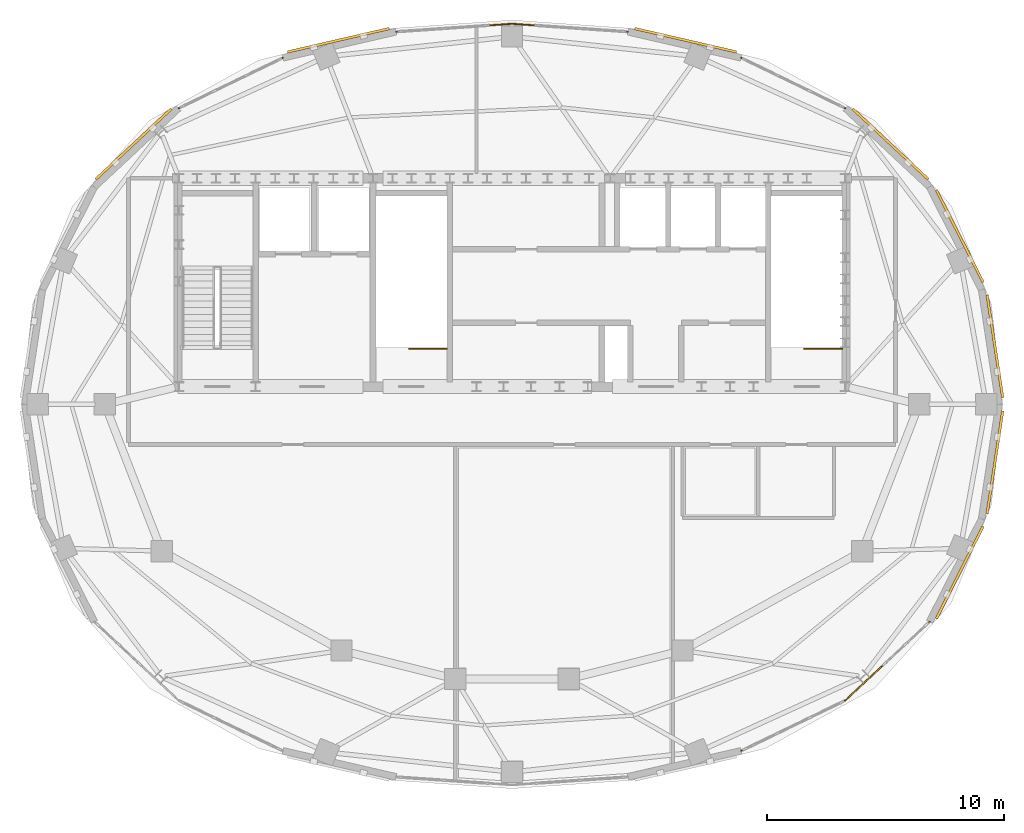
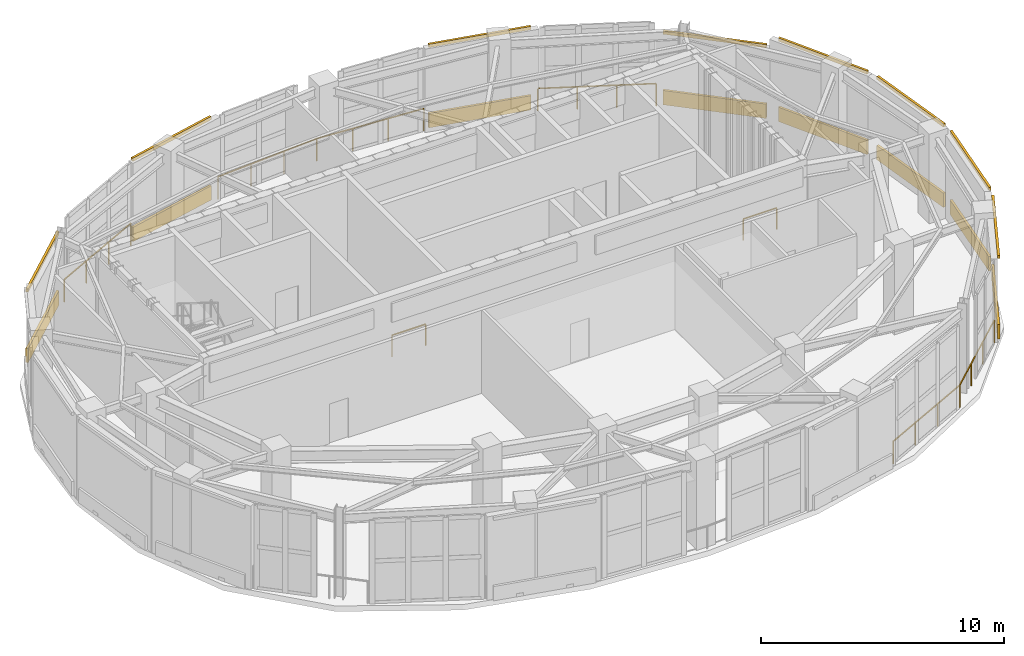
# One storey, part 10 of 10: 16 coverings, 8 railings.
"""IFC4 building model written with IfcOpenShell, lengths in metres."""

import ifcopenshell
import ifcopenshell.guid

model = None  # the IFC model being written
_history = None  # IfcOwnerHistory: only IFC2X3 demands one
_inside = {}  # id of a spatial element -> (the spatial element, [elements in it])
_under = {}  # id of a project, library or spatial element -> (it, [spatial elements below it])
_declared = {}  # id of a project -> (the project, [libraries it declares])
_typed = {}  # id of a type object -> (the type object, [elements of that type])
_made_of = {}  # id of a material, layer set ... -> (it, [elements and type objects made of it])


def new_model(schema):
    """Start an empty IFC model of exactly this schema.

    Asked for "IFC4X3", IfcOpenShell would pick the latest addendum, in which some entities
    have other attributes; the version numbers below select the first issue.
    IFC2X3 requires an IfcOwnerHistory on every rooted entity: one is made here for all.
    """
    global model, _history
    if schema == "IFC4X3":
        model = ifcopenshell.file(schema_version=(4, 3, 0, 0))
    else:
        model = ifcopenshell.file(schema=schema)
    _inside.clear()
    _under.clear()
    _declared.clear()
    _typed.clear()
    _made_of.clear()
    _history = None
    if model.schema == "IFC2X3":
        org = make("IfcOrganization", Name="unknown")
        user = make(
            "IfcPersonAndOrganization",
            ThePerson=make("IfcPerson", FamilyName="unknown"),
            TheOrganization=org,
        )
        app = make(
            "IfcApplication",
            ApplicationDeveloper=org,
            Version="unknown",
            ApplicationFullName="unknown",
            ApplicationIdentifier="unknown",
        )
        _history = make(
            "IfcOwnerHistory",
            OwningUser=user,
            OwningApplication=app,
            ChangeAction="ADDED",
            CreationDate=0,
        )
    return model


def make(cls, **values):
    """One entity of the class cls with the attributes given. An attribute that is None is left unset."""
    return model.create_entity(
        cls, **{name: value for name, value in values.items() if value is not None}
    )


def rooted(cls, **values):
    """An entity with a GlobalId (a new one), such as an element, a storey or a relation."""
    return make(cls, GlobalId=ifcopenshell.guid.new(), OwnerHistory=_history, **values)


def si_unit(unit_type, name, prefix=None):
    """IfcSIUnit, for example si_unit("LENGTHUNIT", "METRE", prefix="MILLI")."""
    return make("IfcSIUnit", UnitType=unit_type, Prefix=prefix, Name=name)


def assignment(units):
    """IfcUnitAssignment: the units of a project."""
    return None if units is None else make("IfcUnitAssignment", Units=units)


def point(xyz):
    """IfcCartesianPoint."""
    return None if xyz is None else make("IfcCartesianPoint", Coordinates=xyz)


def direction(xyz):
    """IfcDirection."""
    return None if xyz is None else make("IfcDirection", DirectionRatios=xyz)


def frame(location, z_axis=None, x_axis=None):
    """IfcAxis2Placement3D, a coordinate frame: its origin and axes. An axis left out is left unset."""
    return make(
        "IfcAxis2Placement3D",
        Location=point(location),
        Axis=direction(z_axis),
        RefDirection=direction(x_axis),
    )


def frame_2d(location, x_axis=None):
    """IfcAxis2Placement2D, a coordinate frame in the plane: its origin and x axis."""
    return make(
        "IfcAxis2Placement2D", Location=point(location), RefDirection=direction(x_axis)
    )


def origin():
    """The frame at (0, 0, 0) with its axes left unset."""
    return frame((0.0, 0.0, 0.0))


def origin_2d():
    """The frame at (0, 0) in the plane with its x axis left unset."""
    return frame_2d((0.0, 0.0))


def place(relative_to, where):
    """IfcLocalPlacement: puts the frame where relative to a parent placement (None: the world)."""
    return make(
        "IfcLocalPlacement", PlacementRelTo=relative_to, RelativePlacement=where
    )


def context(
    kind, dimensions, precision=None, world=None, true_north=None, identifier=None
):
    """IfcGeometricRepresentationContext, for example the 3D "Model" context."""
    return make(
        "IfcGeometricRepresentationContext",
        ContextIdentifier=identifier,
        ContextType=kind,
        CoordinateSpaceDimension=dimensions,
        Precision=precision,
        WorldCoordinateSystem=world,
        TrueNorth=true_north,
    )


def subcontext(parent, identifier, kind, view, scale=None):
    """IfcGeometricRepresentationSubContext, for example "Body" below "Model"."""
    return make(
        "IfcGeometricRepresentationSubContext",
        ContextIdentifier=identifier,
        ContextType=kind,
        ParentContext=parent,
        TargetScale=scale,
        TargetView=view,
    )


def project(units=None, contexts=None):
    """IfcProject with its units and contexts."""
    return rooted(
        "IfcProject",
        Name="project",
        RepresentationContexts=contexts,
        UnitsInContext=assignment(units),
    )


def spatial(cls, under=None, at=None, **own):
    """A site, building, storey or space (cls), placed at a placement, below another one or the project."""
    s = rooted(cls, ObjectPlacement=at, **own)
    if under is not None:
        _under.setdefault(under.id(), (under, []))[1].append(s)
    return s


def polyline(points):
    """IfcPolyline through the points."""
    return make("IfcPolyline", Points=[point(p) for p in points])


def profile(cls, at=None, kind="AREA", **sizes):
    """A parametric profile (cls). Its sizes go by their IFC names, for example OverallWidth=200.0."""
    return make(cls, ProfileType=kind, Position=at, **sizes)


def rectangle(**sizes):
    """IfcRectangleProfileDef."""
    return profile("IfcRectangleProfileDef", **sizes)


def outline(outer, holes=None, kind="AREA"):
    """IfcArbitraryClosedProfileDef: a profile drawn as a closed curve; with holes, ...WithVoids."""
    if holes is None:
        return make("IfcArbitraryClosedProfileDef", ProfileType=kind, OuterCurve=outer)
    return make(
        "IfcArbitraryProfileDefWithVoids",
        ProfileType=kind,
        OuterCurve=outer,
        InnerCurves=holes,
    )


def extrude(swept, where, along, depth):
    """IfcExtrudedAreaSolid: the profile swept, set in the frame where, extruded along a direction by depth."""
    return make(
        "IfcExtrudedAreaSolid",
        SweptArea=swept,
        Position=where,
        ExtrudedDirection=direction(along),
        Depth=depth,
    )


def shape(context_of_items, identifier, shape_type, items):
    """IfcShapeRepresentation: the items that make up one representation, for example the "Body"."""
    return make(
        "IfcShapeRepresentation",
        ContextOfItems=context_of_items,
        RepresentationIdentifier=identifier,
        RepresentationType=shape_type,
        Items=items,
    )


def material(Name=None, Category=None):
    """IfcMaterial."""
    return make("IfcMaterial", Name=Name, Category=Category)


def layer(
    of_material, thickness, ventilated=None, Name=None, Category=None, Priority=None
):
    """IfcMaterialLayer: one layer of a wall or slab, of a material (None: an air gap)."""
    return make(
        "IfcMaterialLayer",
        Material=of_material,
        LayerThickness=thickness,
        IsVentilated=ventilated,
        Name=Name,
        Category=Category,
        Priority=Priority,
    )


def layer_set(layers, Name=None):
    """IfcMaterialLayerSet."""
    return make("IfcMaterialLayerSet", MaterialLayers=layers, LayerSetName=Name)


def made_of(thing, what):
    """Note that an element or type object is made of a material, layer set ...; save() writes the relation."""
    if what is not None:
        _made_of.setdefault(what.id(), (what, []))[1].append(thing)
    return thing


def type_object(cls, material=None, **own):
    """A type object (cls), such as IfcWallType, which elements share."""
    return made_of(rooted(cls, **own), material)


def element(
    cls,
    number,
    at=None,
    inside=None,
    cuts=None,
    type_object=None,
    material=None,
    context=None,
    identifier="Body",
    shape_type=None,
    held_by="IfcProductDefinitionShape",
    body=None,
    shapes=None,
    **own,
):
    """One element of the class cls, such as IfcWall. Its Tag is "e" and its number.

    at: its placement. inside: the storey or other place that contains it. cuts: it is an
    opening in that element (IfcRelVoidsElement). A single representation is given by context,
    identifier, shape_type and body (its items); several are given by shapes. held_by: the class
    of the entity that holds the representations. save() writes the other relations.
    """
    e = rooted(cls, Tag="e%d" % number, ObjectPlacement=at, **own)
    if body is not None:
        shapes = [shape(context, identifier, shape_type, body)]
    if shapes is not None:
        e.Representation = make(held_by, Representations=shapes)
    if inside is not None:
        _inside.setdefault(inside.id(), (inside, []))[1].append(e)
    if cuts is not None:
        rooted(
            "IfcRelVoidsElement", RelatingBuildingElement=cuts, RelatedOpeningElement=e
        )
    if type_object is not None:
        _typed.setdefault(type_object.id(), (type_object, []))[1].append(e)
    return made_of(e, material)


def aggregate(whole, parts):
    """IfcRelAggregates: a whole, such as a stair, and the parts it consists of."""
    return rooted("IfcRelAggregates", RelatingObject=whole, RelatedObjects=parts)


def save(model, path):
    """Write the relations noted so far, then the file.

    IfcRelAggregates (storeys below a building ...), IfcRelContainedInSpatialStructure (elements
    in a storey), IfcRelDefinesByType, IfcRelAssociatesMaterial and IfcRelDeclares: one each for
    every whole, place, type object, material and project.
    """
    for whole, parts in _under.values():
        aggregate(whole, parts)
    for where, things in _inside.values():
        rooted(
            "IfcRelContainedInSpatialStructure",
            RelatedElements=things,
            RelatingStructure=where,
        )
    for kind, things in _typed.values():
        rooted("IfcRelDefinesByType", RelatedObjects=things, RelatingType=kind)
    for what, things in _made_of.values():
        rooted("IfcRelAssociatesMaterial", RelatedObjects=things, RelatingMaterial=what)
    for by, libraries in _declared.values():
        rooted("IfcRelDeclares", RelatingContext=by, RelatedDefinitions=libraries)
    model.write(path)


model = new_model("IFC4")

# Units and contexts
model_context = context("Model", 3, precision=1e-05, world=origin(), true_north=direction((0.0, 1.0)))
body_context = subcontext(model_context, "Body", "Model", "MODEL_VIEW")
ifc_project = project(units=[si_unit("LENGTHUNIT", "METRE"), si_unit("AREAUNIT", "SQUARE_METRE"), si_unit("VOLUMEUNIT", "CUBIC_METRE"), si_unit("PLANEANGLEUNIT", "RADIAN"), si_unit("MASSUNIT", "GRAM", prefix="KILO")], contexts=[model_context])

# Site, building, storey
site_placement = place(None, origin())
site = spatial("IfcSite", under=ifc_project, at=site_placement, CompositionType="ELEMENT")
building_placement = place(site_placement, origin())
building = spatial("IfcBuilding", under=site, at=building_placement, Name="Haldorwick Loom Tower", CompositionType="ELEMENT")
storey_placement = place(building_placement, frame((0.0, 0.0, 296.0)))
storey = spatial("IfcBuildingStorey", under=building, at=storey_placement, Name="L79", CompositionType="ELEMENT", Elevation=296.0)

# Coverings
ifc_material_1 = material(Name="Corbelled Pressed Clay Face Brick Veneer", Category="masonry")
ifc_layer = layer(ifc_material_1, 0.110107421875, Name="Corbelled Pressed Clay Face Brick Veneer", Category="masonry")
ifc_layer_set = layer_set([ifc_layer], Name="Corbelled Pressed Clay Face Brick Veneer")
covering_type = type_object("IfcCoveringType", Name="ARC-COV-BRICK110", PredefinedType="CLADDING", material=ifc_layer_set)
covering_1_placement = place(storey_placement, origin())
element("IfcCovering", 1, at=covering_1_placement, inside=storey, type_object=covering_type, Name="L79 Sill Face-Brick Spandrel 1", PredefinedType="CLADDING", context=body_context, shape_type="SweptSolid", body=[
    extrude(outline(polyline([(56.783203125, 26.28466796875), (56.1240234375, 30.632568359375), (56.01513671875, 30.6162109375), (56.674560546875, 26.268310546875), (56.783203125, 26.28466796875)])), origin(), (0.0, 0.0, 1.0), 0.719970703125),
])
covering_2_placement = place(storey_placement, frame((0.0, 0.0, 4.0400390625)))
element("IfcCovering", 2, at=covering_2_placement, inside=storey, type_object=covering_type, Name="L79 Head Face-Brick Lintel Band 1", PredefinedType="CLADDING", context=body_context, shape_type="SweptSolid", body=[
    extrude(outline(polyline([(56.783203125, 26.28466796875), (56.1240234375, 30.632568359375), (56.01513671875, 30.6162109375), (56.674560546875, 26.268310546875), (56.783203125, 26.28466796875)])), origin(), (0.0, 0.0, 1.0), 0.159912109375),
])
covering_3_placement = place(storey_placement, origin())
element("IfcCovering", 3, at=covering_3_placement, inside=storey, type_object=covering_type, Name="L79 Sill Face-Brick Spandrel 2", PredefinedType="CLADDING", context=body_context, shape_type="SweptSolid", body=[
    extrude(outline(polyline([(55.949462890625, 31.17822265625), (53.976318359375, 35.07421875), (53.878173828125, 35.0244140625), (55.851318359375, 31.128662109375), (55.949462890625, 31.17822265625)])), origin(), (0.0, 0.0, 1.0), 0.719970703125),
])
covering_4_placement = place(storey_placement, frame((0.0, 0.0, 4.0400390625)))
element("IfcCovering", 4, at=covering_4_placement, inside=storey, type_object=covering_type, Name="L79 Head Face-Brick Lintel Band 2", PredefinedType="CLADDING", context=body_context, shape_type="SweptSolid", body=[
    extrude(outline(polyline([(55.949462890625, 31.17822265625), (53.976318359375, 35.07421875), (53.878173828125, 35.0244140625), (55.851318359375, 31.128662109375), (55.949462890625, 31.17822265625)])), origin(), (0.0, 0.0, 1.0), 0.159912109375),
])
covering_5_placement = place(storey_placement, origin())
element("IfcCovering", 5, at=covering_5_placement, inside=storey, type_object=covering_type, Name="L79 Sill Face-Brick Spandrel 3", PredefinedType="CLADDING", context=body_context, shape_type="SweptSolid", body=[
    extrude(outline(polyline([(53.62841796875, 35.53759765625), (50.436767578125, 38.51806640625), (50.36181640625, 38.437744140625), (53.55322265625, 35.457275390625), (53.62841796875, 35.53759765625)])), origin(), (0.0, 0.0, 1.0), 0.719970703125),
])
covering_6_placement = place(storey_placement, frame((0.0, 0.0, 3.549072265625)))
element("IfcCovering", 6, at=covering_6_placement, inside=storey, type_object=covering_type, Name="L79 Head Face-Brick Lintel Band 3", PredefinedType="CLADDING", context=body_context, shape_type="SweptSolid", body=[
    extrude(outline(polyline([(53.62841796875, 35.53759765625), (50.436767578125, 38.51806640625), (50.36181640625, 38.437744140625), (53.55322265625, 35.457275390625), (53.62841796875, 35.53759765625)])), origin(), (0.0, 0.0, 1.0), 0.159912109375),
])
covering_7_placement = place(storey_placement, origin())
element("IfcCovering", 7, at=covering_7_placement, inside=storey, type_object=covering_type, Name="L79 Sill Face-Brick Spandrel 5", PredefinedType="CLADDING", context=body_context, shape_type="SweptSolid", body=[
    extrude(outline(polyline([(45.4931640625, 40.9375), (41.1982421875, 41.92626953125), (41.173583984375, 41.819091796875), (45.468505859375, 40.830322265625), (45.4931640625, 40.9375)])), origin(), (0.0, 0.0, 1.0), 0.719970703125),
])
covering_8_placement = place(storey_placement, frame((0.0, 0.0, 4.0400390625)))
element("IfcCovering", 8, at=covering_8_placement, inside=storey, type_object=covering_type, Name="L79 Head Face-Brick Lintel Band 5", PredefinedType="CLADDING", context=body_context, shape_type="SweptSolid", body=[
    extrude(outline(polyline([(45.4931640625, 40.9375), (41.1982421875, 41.92626953125), (41.173583984375, 41.819091796875), (45.468505859375, 40.830322265625), (45.4931640625, 40.9375)])), origin(), (0.0, 0.0, 1.0), 0.159912109375),
])
covering_9_placement = place(storey_placement, origin())
element("IfcCovering", 9, at=covering_9_placement, inside=storey, type_object=covering_type, Name="L79 Sill Face-Brick Spandrel 8", PredefinedType="CLADDING", context=body_context, shape_type="SweptSolid", body=[
    extrude(outline(polyline([(30.8017578125, 41.92626953125), (26.5068359375, 40.9375), (26.531494140625, 40.830322265625), (30.826416015625, 41.819091796875), (30.8017578125, 41.92626953125)])), origin(), (0.0, 0.0, 1.0), 0.719970703125),
])
covering_10_placement = place(storey_placement, frame((0.0, 0.0, 4.0400390625)))
element("IfcCovering", 10, at=covering_10_placement, inside=storey, type_object=covering_type, Name="L79 Head Face-Brick Lintel Band 8", PredefinedType="CLADDING", context=body_context, shape_type="SweptSolid", body=[
    extrude(outline(polyline([(30.8017578125, 41.92626953125), (26.5068359375, 40.9375), (26.531494140625, 40.830322265625), (30.826416015625, 41.819091796875), (30.8017578125, 41.92626953125)])), origin(), (0.0, 0.0, 1.0), 0.159912109375),
])
covering_11_placement = place(storey_placement, origin())
element("IfcCovering", 11, at=covering_11_placement, inside=storey, type_object=covering_type, Name="L79 Sill Face-Brick Spandrel 10", PredefinedType="CLADDING", context=body_context, shape_type="SweptSolid", body=[
    extrude(outline(polyline([(21.563232421875, 38.51806640625), (18.37158203125, 35.53759765625), (18.44677734375, 35.457275390625), (21.63818359375, 38.437744140625), (21.563232421875, 38.51806640625)])), origin(), (0.0, 0.0, 1.0), 0.719970703125),
])
covering_12_placement = place(storey_placement, frame((0.0, 0.0, 3.549072265625)))
element("IfcCovering", 12, at=covering_12_placement, inside=storey, type_object=covering_type, Name="L79 Head Face-Brick Lintel Band 10", PredefinedType="CLADDING", context=body_context, shape_type="SweptSolid", body=[
    extrude(outline(polyline([(21.563232421875, 38.51806640625), (18.37158203125, 35.53759765625), (18.44677734375, 35.457275390625), (21.63818359375, 38.437744140625), (21.563232421875, 38.51806640625)])), origin(), (0.0, 0.0, 1.0), 0.159912109375),
])
covering_13_placement = place(storey_placement, origin())
element("IfcCovering", 13, at=covering_13_placement, inside=storey, type_object=covering_type, Name="L79 Sill Face-Brick Spandrel 23", PredefinedType="CLADDING", context=body_context, shape_type="SweptSolid", body=[
    extrude(outline(polyline([(53.976318359375, 16.92578125), (55.949462890625, 20.82177734375), (55.851318359375, 20.871337890625), (53.878173828125, 16.9755859375), (53.976318359375, 16.92578125)])), origin(), (0.0, 0.0, 1.0), 0.719970703125),
])
covering_14_placement = place(storey_placement, frame((0.0, 0.0, 4.0400390625)))
element("IfcCovering", 14, at=covering_14_placement, inside=storey, type_object=covering_type, Name="L79 Head Face-Brick Lintel Band 23", PredefinedType="CLADDING", context=body_context, shape_type="SweptSolid", body=[
    extrude(outline(polyline([(53.976318359375, 16.92578125), (55.949462890625, 20.82177734375), (55.851318359375, 20.871337890625), (53.878173828125, 16.9755859375), (53.976318359375, 16.92578125)])), origin(), (0.0, 0.0, 1.0), 0.159912109375),
])
covering_15_placement = place(storey_placement, origin())
element("IfcCovering", 15, at=covering_15_placement, inside=storey, type_object=covering_type, Name="L79 Sill Face-Brick Spandrel 24", PredefinedType="CLADDING", context=body_context, shape_type="SweptSolid", body=[
    extrude(outline(polyline([(56.1240234375, 21.367431640625), (56.783203125, 25.71533203125), (56.674560546875, 25.731689453125), (56.01513671875, 21.3837890625), (56.1240234375, 21.367431640625)])), origin(), (0.0, 0.0, 1.0), 0.719970703125),
])
covering_16_placement = place(storey_placement, frame((0.0, 0.0, 4.0400390625)))
element("IfcCovering", 16, at=covering_16_placement, inside=storey, type_object=covering_type, Name="L79 Head Face-Brick Lintel Band 24", PredefinedType="CLADDING", context=body_context, shape_type="SweptSolid", body=[
    extrude(outline(polyline([(56.1240234375, 21.367431640625), (56.783203125, 25.71533203125), (56.674560546875, 25.731689453125), (56.01513671875, 21.3837890625), (56.1240234375, 21.367431640625)])), origin(), (0.0, 0.0, 1.0), 0.159912109375),
])

# Railings
ifc_material_2 = material(Name="Galvanized Steel CSA G40.21 350W", Category="steel")
railing_type_1 = type_object("IfcRailingType", Name="ARC-RLG-BAL115", PredefinedType="BALUSTRADE", material=ifc_material_2)
railing_1_placement = place(storey_placement, frame((50.08349609375, 38.506103515625, 0.0)))
element("IfcRailing", 17, at=railing_1_placement, inside=storey, type_object=railing_type_1, Name="L79 Curtain-Wall Sill Safety Guardrail 4", PredefinedType="BALUSTRADE", context=body_context, shape_type="SweptSolid", body=[
    extrude(rectangle(XDim=0.048095703125, YDim=0.048095703125, at=origin_2d()), frame((0.0, 0.0, 1.1259765625), z_axis=(-0.900044338684, 0.435798334556, 0.0), x_axis=(-0.435798334556, -0.900044338684, 0.0)), (0.0, 0.0, 1.0), 4.891845703125),
    extrude(rectangle(XDim=0.0419921875, YDim=0.0419921875, at=origin_2d()), origin(), (0.0, 0.0, 1.0), 1.101806640625),
    extrude(rectangle(XDim=0.0419921875, YDim=0.0419921875, at=origin_2d()), frame((-1.467529296875, 0.710693359375, 0.0)), (0.0, 0.0, 1.0), 1.101806640625),
    extrude(rectangle(XDim=0.0419921875, YDim=0.0419921875, at=origin_2d()), frame((-2.935302734375, 1.421142578125, 0.0)), (0.0, 0.0, 1.0), 1.101806640625),
    extrude(rectangle(XDim=0.0419921875, YDim=0.0419921875, at=origin_2d()), frame((-4.40283203125, 2.1318359375, 0.0)), (0.0, 0.0, 1.0), 1.101806640625),
])
railing_2_placement = place(storey_placement, frame((40.8984375, 41.738525390625, 0.0)))
element("IfcRailing", 18, at=railing_2_placement, inside=storey, type_object=railing_type_1, Name="L79 Curtain-Wall Sill Safety Guardrail 6", PredefinedType="BALUSTRADE", context=body_context, shape_type="SweptSolid", body=[
    extrude(rectangle(XDim=0.048095703125, YDim=0.048095703125, at=origin_2d()), frame((0.0, 0.0, 1.1259765625), z_axis=(-0.997653222254, 0.06846932252, 0.0), x_axis=(-0.06846932252, -0.997653222254, 0.0)), (0.0, 0.0, 1.0), 4.909912109375),
    extrude(rectangle(XDim=0.0419921875, YDim=0.0419921875, at=origin_2d()), origin(), (0.0, 0.0, 1.0), 1.101806640625),
    extrude(rectangle(XDim=0.0419921875, YDim=0.0419921875, at=origin_2d()), frame((-1.6328125, 0.112060546875, 0.0)), (0.0, 0.0, 1.0), 1.101806640625),
    extrude(rectangle(XDim=0.0419921875, YDim=0.0419921875, at=origin_2d()), frame((-3.265625, 0.22412109375, 0.0)), (0.0, 0.0, 1.0), 1.101806640625),
    extrude(rectangle(XDim=0.0419921875, YDim=0.0419921875, at=origin_2d()), frame((-4.8984375, 0.336181640625, 0.0)), (0.0, 0.0, 1.0), 1.101806640625),
])
railing_3_placement = place(storey_placement, frame((36.0, 42.07470703125, 0.0)))
element("IfcRailing", 19, at=railing_3_placement, inside=storey, type_object=railing_type_1, Name="L79 Curtain-Wall Sill Safety Guardrail 7", PredefinedType="BALUSTRADE", context=body_context, shape_type="SweptSolid", body=[
    extrude(rectangle(XDim=0.048095703125, YDim=0.048095703125, at=origin_2d()), frame((0.0, 0.0, 1.1259765625), z_axis=(-0.997653222254, -0.06846932252, 0.0), x_axis=(0.06846932252, -0.997653222254, 0.0)), (0.0, 0.0, 1.0), 4.909912109375),
    extrude(rectangle(XDim=0.0419921875, YDim=0.0419921875, at=origin_2d()), origin(), (0.0, 0.0, 1.0), 1.101806640625),
    extrude(rectangle(XDim=0.0419921875, YDim=0.0419921875, at=origin_2d()), frame((-1.6328125, -0.112060546875, 0.0)), (0.0, 0.0, 1.0), 1.101806640625),
    extrude(rectangle(XDim=0.0419921875, YDim=0.0419921875, at=origin_2d()), frame((-3.265625, -0.22412109375, 0.0)), (0.0, 0.0, 1.0), 1.101806640625),
    extrude(rectangle(XDim=0.0419921875, YDim=0.0419921875, at=origin_2d()), frame((-4.8984375, -0.336181640625, 0.0)), (0.0, 0.0, 1.0), 1.101806640625),
])
railing_4_placement = place(storey_placement, frame((26.3193359375, 40.637939453125, 0.0)))
element("IfcRailing", 20, at=railing_4_placement, inside=storey, type_object=railing_type_1, Name="L79 Curtain-Wall Sill Safety Guardrail 9", PredefinedType="BALUSTRADE", context=body_context, shape_type="SweptSolid", body=[
    extrude(rectangle(XDim=0.048095703125, YDim=0.048095703125, at=origin_2d()), frame((0.0, 0.0, 1.1259765625), z_axis=(-0.900044338684, -0.435798334556, 0.0), x_axis=(0.435798334556, -0.900044338684, 0.0)), (0.0, 0.0, 1.0), 4.891845703125),
    extrude(rectangle(XDim=0.0419921875, YDim=0.0419921875, at=origin_2d()), origin(), (0.0, 0.0, 1.0), 1.101806640625),
    extrude(rectangle(XDim=0.0419921875, YDim=0.0419921875, at=origin_2d()), frame((-1.467529296875, -0.710693359375, 0.0)), (0.0, 0.0, 1.0), 1.101806640625),
    extrude(rectangle(XDim=0.0419921875, YDim=0.0419921875, at=origin_2d()), frame((-2.935302734375, -1.421142578125, 0.0)), (0.0, 0.0, 1.0), 1.101806640625),
    extrude(rectangle(XDim=0.0419921875, YDim=0.0419921875, at=origin_2d()), frame((-4.40283203125, -2.1318359375, 0.0)), (0.0, 0.0, 1.0), 1.101806640625),
])
railing_5_placement = place(storey_placement, frame((45.6806640625, 11.362060546875, 0.0)))
element("IfcRailing", 21, at=railing_5_placement, inside=storey, type_object=railing_type_1, Name="L79 Curtain-Wall Sill Safety Guardrail 21", PredefinedType="BALUSTRADE", context=body_context, shape_type="SweptSolid", body=[
    extrude(rectangle(XDim=0.048095703125, YDim=0.048095703125, at=origin_2d()), frame((0.0, 0.0, 1.1259765625), z_axis=(0.900044338684, 0.435798334556, 0.0), x_axis=(-0.435798334556, 0.900044338684, 0.0)), (0.0, 0.0, 1.0), 4.891845703125),
    extrude(rectangle(XDim=0.0419921875, YDim=0.0419921875, at=origin_2d()), origin(), (0.0, 0.0, 1.0), 1.101806640625),
    extrude(rectangle(XDim=0.0419921875, YDim=0.0419921875, at=origin_2d()), frame((1.467529296875, 0.710693359375, 0.0)), (0.0, 0.0, 1.0), 1.101806640625),
    extrude(rectangle(XDim=0.0419921875, YDim=0.0419921875, at=origin_2d()), frame((2.935302734375, 1.421142578125, 0.0)), (0.0, 0.0, 1.0), 1.101806640625),
    extrude(rectangle(XDim=0.0419921875, YDim=0.0419921875, at=origin_2d()), frame((4.40283203125, 2.1318359375, 0.0)), (0.0, 0.0, 1.0), 1.101806640625),
])
railing_6_placement = place(storey_placement, frame((50.08349609375, 13.493896484375, 0.0)))
element("IfcRailing", 22, at=railing_6_placement, inside=storey, type_object=railing_type_1, Name="L79 Curtain-Wall Sill Safety Guardrail 22", PredefinedType="BALUSTRADE", context=body_context, shape_type="SweptSolid", body=[
    extrude(rectangle(XDim=0.048095703125, YDim=0.048095703125, at=origin_2d()), frame((0.0, 0.0, 1.1259765625), z_axis=(0.730848380054, 0.682539848927, 0.0), x_axis=(-0.682539848927, 0.730848380054, 0.0)), (0.0, 0.0, 1.0), 4.86669921875),
    extrude(rectangle(XDim=0.0419921875, YDim=0.0419921875, at=origin_2d()), origin(), (0.0, 0.0, 1.0), 1.101806640625),
    extrude(rectangle(XDim=0.0419921875, YDim=0.0419921875, at=origin_2d()), frame((1.185546875, 1.107177734375, 0.0)), (0.0, 0.0, 1.0), 1.101806640625),
    extrude(rectangle(XDim=0.0419921875, YDim=0.0419921875, at=origin_2d()), frame((2.371337890625, 2.214599609375, 0.0)), (0.0, 0.0, 1.0), 1.101806640625),
    extrude(rectangle(XDim=0.0419921875, YDim=0.0419921875, at=origin_2d()), frame((3.556884765625, 3.32177734375, 0.0)), (0.0, 0.0, 1.0), 1.101806640625),
])
ifc_material_3 = material(Name="Steel CSA G40.21 350W", Category="steel")
railing_type_2 = type_object("IfcRailingType", Name="ARC-RLG-GUARD112", PredefinedType="GUARDRAIL", material=ifc_material_3)
railing_7_placement = place(storey_placement, frame((49.949951171875, 28.35009765625, 0.0)))
element("IfcRailing", 23, at=railing_7_placement, inside=storey, type_object=railing_type_2, Name="L79 ST-02 top well guard 1", PredefinedType="GUARDRAIL", context=body_context, shape_type="SweptSolid", body=[
    extrude(rectangle(XDim=0.048095703125, YDim=0.048095703125, at=origin_2d()), frame((0.0, 0.0, 1.076171875), z_axis=(-1.0, 0.0, 0.0), x_axis=(0.0, -1.0, 0.0)), (0.0, 0.0, 1.0), 1.599853515625),
    extrude(rectangle(XDim=0.0419921875, YDim=0.0419921875, at=origin_2d()), origin(), (0.0, 0.0, 1.0), 1.052001953125),
    extrude(rectangle(XDim=0.0419921875, YDim=0.0419921875, at=origin_2d()), frame((-1.599853515625, 0.0, 0.0)), (0.0, 0.0, 1.0), 1.052001953125),
])
railing_8_placement = place(storey_placement, frame((33.25, 28.35009765625, 0.0)))
element("IfcRailing", 24, at=railing_8_placement, inside=storey, type_object=railing_type_2, Name="L79 ST-03 top well guard 1", PredefinedType="GUARDRAIL", context=body_context, shape_type="SweptSolid", body=[
    extrude(rectangle(XDim=0.048095703125, YDim=0.048095703125, at=origin_2d()), frame((0.0, 0.0, 1.076171875), z_axis=(-1.0, 0.0, 0.0), x_axis=(0.0, -1.0, 0.0)), (0.0, 0.0, 1.0), 1.60009765625),
    extrude(rectangle(XDim=0.0419921875, YDim=0.0419921875, at=origin_2d()), origin(), (0.0, 0.0, 1.0), 1.052001953125),
    extrude(rectangle(XDim=0.0419921875, YDim=0.0419921875, at=origin_2d()), frame((-1.60009765625, 0.0, 0.0)), (0.0, 0.0, 1.0), 1.052001953125),
])

save(model, "model.ifc")
